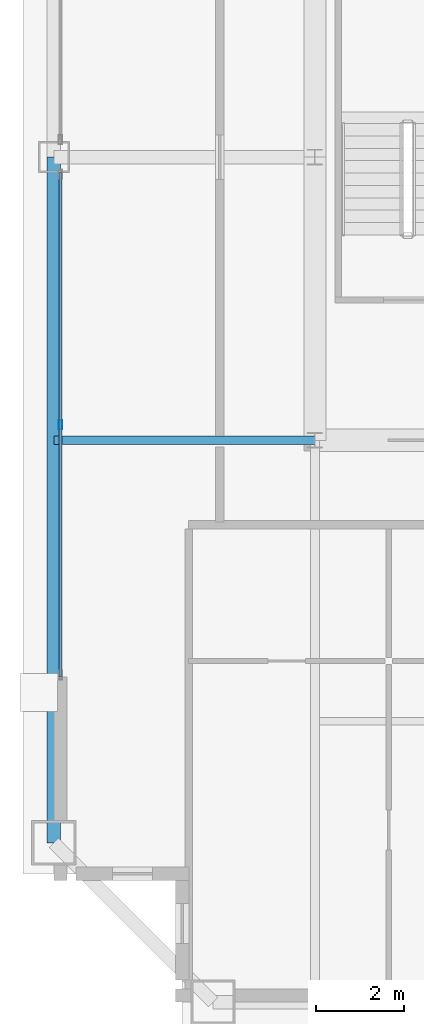
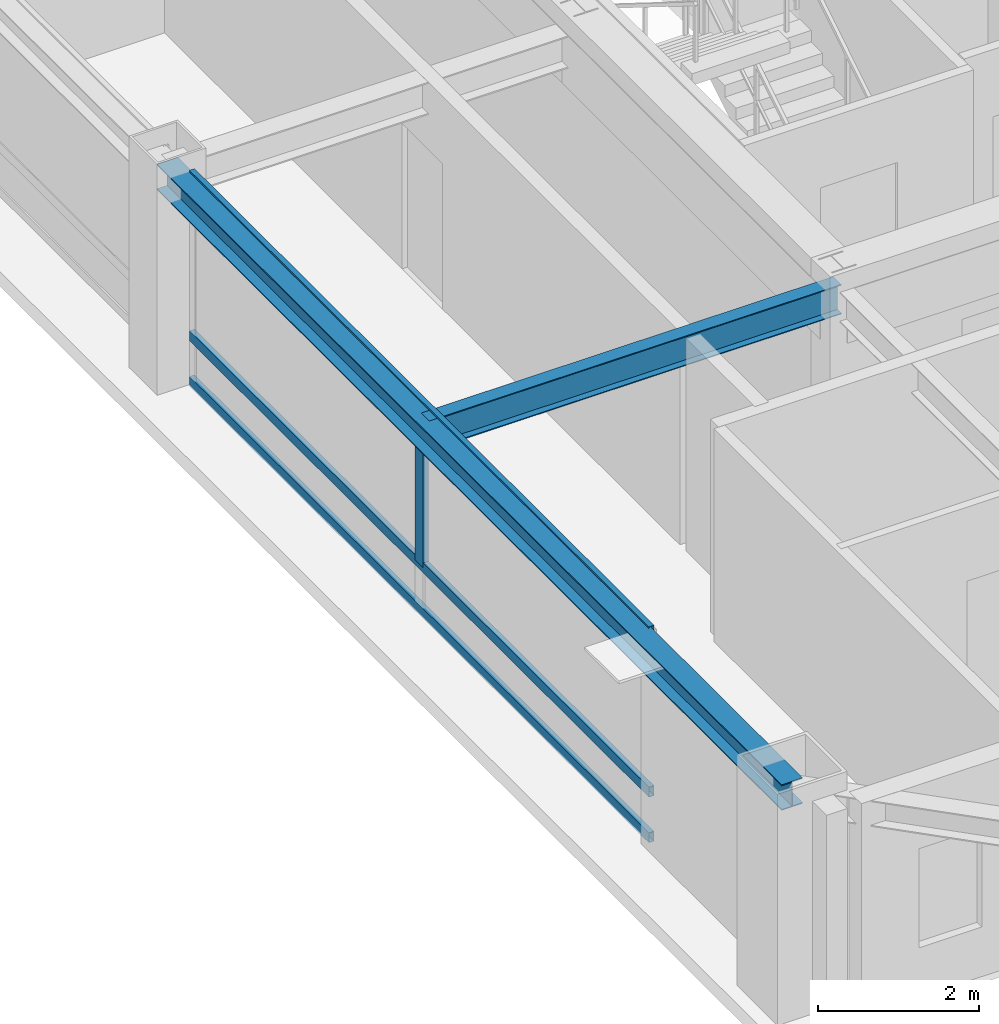
# One storey, part 6 of 35: 4 members, 2 beams, 1 element without a shape of its own.
"""IFC4 building model written with IfcOpenShell, lengths in metres."""

from ifc_helpers import new_model, si_unit, direction, frame, origin, origin_2d, place, context, subcontext, project, spatial, hollow_rectangle, i_section, extrude, source, transform, mapped, material, layer, layer_set, material_profile, profile_set, type_object, element, aggregate, save


model = new_model("IFC4")

# Units and contexts
model_context = context("Model", 3, precision=1e-05, world=origin(), true_north=direction((0.0, 1.0)))
body_context = subcontext(model_context, "Body", "Model", "MODEL_VIEW")
ifc_project = project(units=[si_unit("LENGTHUNIT", "METRE"), si_unit("AREAUNIT", "SQUARE_METRE"), si_unit("VOLUMEUNIT", "CUBIC_METRE"), si_unit("PLANEANGLEUNIT", "RADIAN"), si_unit("MASSUNIT", "GRAM", prefix="KILO"), si_unit("THERMODYNAMICTEMPERATUREUNIT", "KELVIN"), si_unit("POWERUNIT", "WATT")], contexts=[model_context])

# Site, building, storey
site_placement = place(None, origin())
site = spatial("IfcSite", under=ifc_project, at=site_placement, CompositionType="ELEMENT")
building_placement = place(site_placement, origin())
building = spatial("IfcBuilding", under=site, at=building_placement, Name="Yuzanri Waterfront Tower", CompositionType="ELEMENT")
storey_placement = place(building_placement, frame((0.0, 0.0, 303.10009765625)))
storey = spatial("IfcBuildingStorey", under=building, at=storey_placement, Name="L81", CompositionType="ELEMENT", Elevation=303.10009765625)

# Beams
ifc_material_1 = material(Name="Steel Q355B", Category="steel")
ifc_material_profile_1 = material_profile(ifc_material_1, i_section(OverallWidth=0.300048828125, OverallDepth=0.389892578125, WebThickness=0.010009765625, FlangeThickness=0.01611328125, at=origin_2d()), Name="HM 390x300x10x16")
ifc_profile_set_1 = profile_set([ifc_material_profile_1], Name="Steel Q355B")
beam_type_1 = type_object("IfcBeamType", Name="Perimeter Spandrel Q355B HM 390x300", PredefinedType="SPANDREL", material=ifc_profile_set_1)
shared_shape_1 = source(origin(), body_context, "Body", "SweptSolid", [
    extrude(i_section(OverallWidth=0.300048828125, OverallDepth=0.389892578125, WebThickness=0.010009765625, FlangeThickness=0.01611328125, at=origin_2d()), origin(), (0.0, 0.0, 1.0), 15.5),
])
beam_1_placement = place(storey_placement, frame((17.89990234375, 25.800048828125, 3.02490234375), z_axis=(0.0, -1.0, 0.0), x_axis=(1.0, 0.0, 0.0)))
element("IfcBeam", 1, at=beam_1_placement, inside=storey, type_object=beam_type_1, Name="L81 Perimeter Spandrel W2-W1", PredefinedType="SPANDREL", context=body_context, shape_type="MappedRepresentation", body=[
    mapped(shared_shape_1, transform((0.0, 0.0, 0.0), scale=1.0)),
])
ifc_material_2 = material(Name="Steel Q355B", Category="steel")
ifc_material_profile_2 = material_profile(ifc_material_2, i_section(OverallWidth=0.199951171875, OverallDepth=0.449951171875, WebThickness=0.009033203125, FlangeThickness=0.013916015625, at=origin_2d()), Name="HN 450x200x9x14")
ifc_profile_set_2 = profile_set([ifc_material_profile_2], Name="Steel Q355B")
beam_type_2 = type_object("IfcBeamType", Name="Secondary Floor Beam Q355B HN 450x200", PredefinedType="BEAM", material=ifc_profile_set_2)
shared_shape_2 = source(origin(), body_context, "Body", "SweptSolid", [
    extrude(i_section(OverallWidth=0.199951171875, OverallDepth=0.449951171875, WebThickness=0.009033203125, FlangeThickness=0.013916015625, at=origin_2d()), origin(), (0.0, 0.0, 1.0), 5.900146484375),
])
beam_2_placement = place(storey_placement, frame((23.800048828125, 19.39990234375, 2.994873046875), z_axis=(-1.0, 0.0, 0.0), x_axis=(0.0, -1.0, 0.0)))
element("IfcBeam", 2, at=beam_2_placement, inside=storey, type_object=beam_type_2, Name="L81 West-South Core Line Beam", PredefinedType="BEAM", context=body_context, shape_type="MappedRepresentation", body=[
    mapped(shared_shape_2, transform((0.0, 0.0, 0.0), scale=1.0)),
])

# Curtain wall, members
ifc_material_3 = material(Name="Anodized Architectural Bronze", Category="metal")
ifc_layer = layer(ifc_material_3, 0.159912109375)
ifc_layer_set = layer_set([ifc_layer], Name="Anodized Architectural Bronze")
curtain_wall_type = type_object("IfcCurtainWallType", Name="Anodized Bronze High-Rise Penthouse High-Wind Unitized Curtain Wall 6900", PredefinedType="NOTDEFINED", material=ifc_layer_set)
curtain_wall_placement = place(storey_placement, origin())
curtain_wall = element("IfcCurtainWall", 3, at=curtain_wall_placement, inside=storey, type_object=curtain_wall_type, Name="L81 Curtain Wall CW-L81-WL", PredefinedType="NOTDEFINED")
ifc_material_4 = material(Name="Anodized Architectural Bronze", Category="metal")
ifc_material_profile_3 = material_profile(ifc_material_4, hollow_rectangle(XDim=0.074951171875, YDim=0.14990234375, WallThickness=0.00390625, at=origin_2d()), Name="CWT 75x150")
ifc_profile_set_3 = profile_set([ifc_material_profile_3], Name="Anodized Architectural Bronze")
member_type_1 = type_object("IfcMemberType", Name="Anodized Bronze Primary Curtain-Wall Transom 75x150", PredefinedType="USERDEFINED", material=ifc_profile_set_3)
shared_shape_3 = source(origin(), body_context, "Body", "SweptSolid", [
    extrude(hollow_rectangle(XDim=0.074951171875, YDim=0.14990234375, WallThickness=0.00390625, at=origin_2d()), origin(), (0.0, 0.0, 1.0), 11.39990234375),
])
member_1_placement = place(storey_placement, frame((18.050048828125, 14.050048828125, 0.0498046875), z_axis=(0.0, 1.0, 0.0), x_axis=(-1.0, 0.0, 0.0)))
member_1 = element("IfcMember", 4, at=member_1_placement, type_object=member_type_1, Name="CW-L81-WL Transom 1", ObjectType="TRANSOM", PredefinedType="USERDEFINED", context=body_context, shape_type="MappedRepresentation", body=[
    mapped(shared_shape_3, transform((0.0, 0.0, 0.0), scale=1.0)),
])
member_2_placement = place(storey_placement, frame((18.050048828125, 14.050048828125, 0.740966796875), z_axis=(0.0, 1.0, 0.0), x_axis=(-1.0, 0.0, 0.0)))
member_2 = element("IfcMember", 5, at=member_2_placement, type_object=member_type_1, Name="CW-L81-WL Transom 2", ObjectType="TRANSOM", PredefinedType="USERDEFINED", context=body_context, shape_type="MappedRepresentation", body=[
    mapped(shared_shape_3, transform((0.0, 0.0, 0.0), scale=1.0)),
])
member_3_placement = place(storey_placement, frame((18.050048828125, 14.050048828125, 3.169921875), z_axis=(0.0, 1.0, 0.0), x_axis=(-1.0, 0.0, 0.0)))
member_3 = element("IfcMember", 6, at=member_3_placement, type_object=member_type_1, Name="CW-L81-WL Transom 3", ObjectType="TRANSOM", PredefinedType="USERDEFINED", context=body_context, shape_type="MappedRepresentation", body=[
    mapped(shared_shape_3, transform((0.0, 0.0, 0.0), scale=1.0)),
])
ifc_material_5 = material(Name="Anodized Architectural Bronze", Category="metal")
ifc_material_profile_4 = material_profile(ifc_material_5, hollow_rectangle(XDim=0.074951171875, YDim=0.199951171875, WallThickness=0.00390625, at=origin_2d()), Name="CWM 75x200")
ifc_profile_set_4 = profile_set([ifc_material_profile_4], Name="Anodized Architectural Bronze")
member_type_2 = type_object("IfcMemberType", Name="Anodized Bronze Primary Curtain-Wall Mullion 75x200", PredefinedType="MULLION", material=ifc_profile_set_4)
shared_shape_4 = source(origin(), body_context, "Body", "SweptSolid", [
    extrude(hollow_rectangle(XDim=0.074951171875, YDim=0.199951171875, WallThickness=0.00390625, at=origin_2d()), origin(), (0.0, 0.0, 1.0), 2.47705078125),
])
member_4_placement = place(storey_placement, frame((18.050048828125, 19.75, 0.742919921875), z_axis=(0.0, 0.0, 1.0), x_axis=(1.0, 0.0, 0.0)))
member_4 = element("IfcMember", 7, at=member_4_placement, type_object=member_type_2, Name="CW-L81-WL Upper Mullion 01", PredefinedType="MULLION", context=body_context, shape_type="MappedRepresentation", body=[
    mapped(shared_shape_4, transform((0.0, 0.0, 0.0), scale=1.0)),
])
aggregate(curtain_wall, [member_4, member_1, member_2, member_3])

save(model, "model.ifc")
